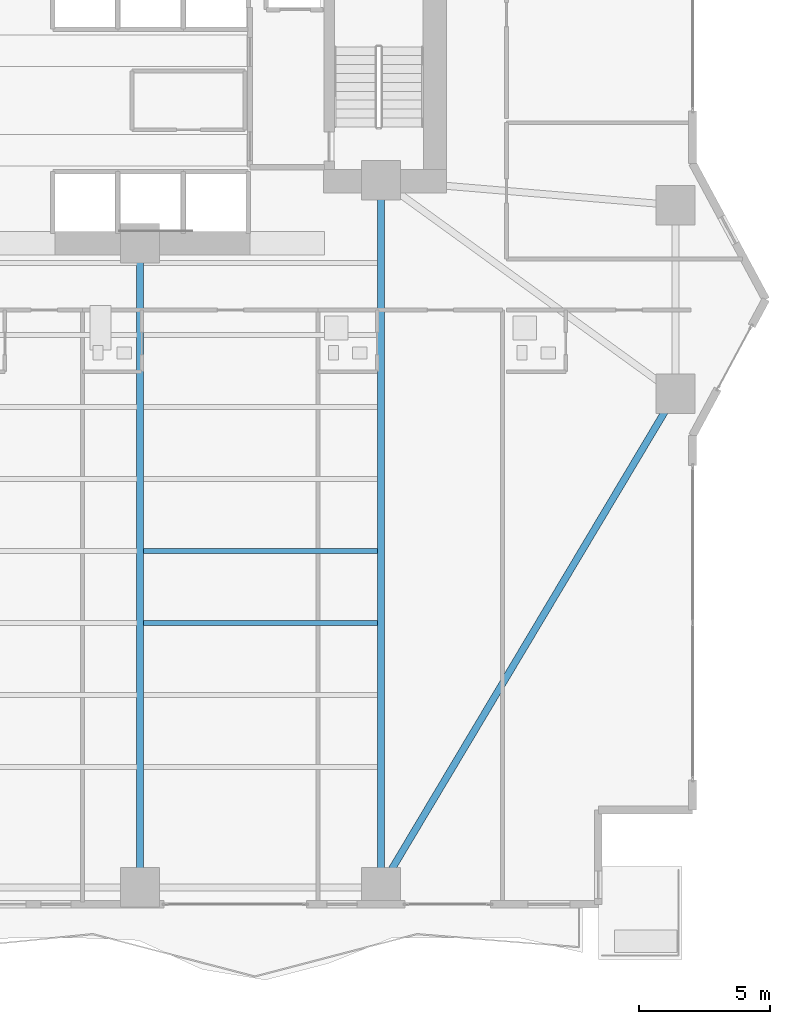
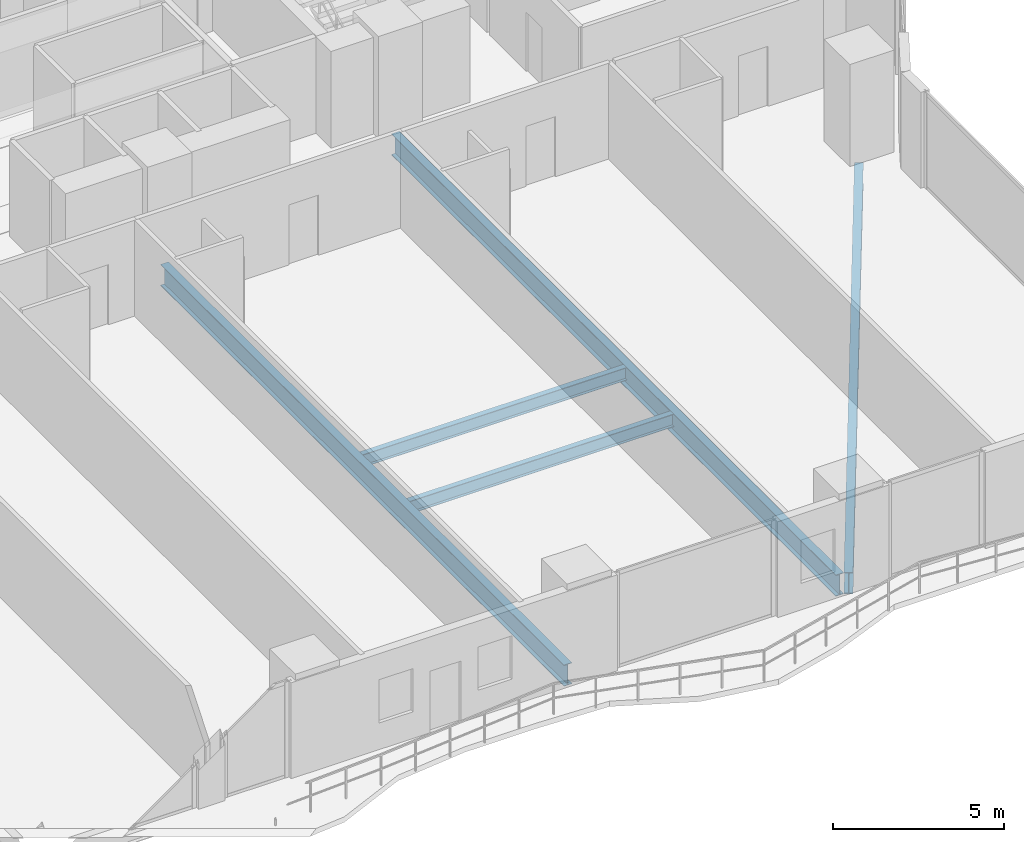
# One storey, part 9 of 29: 5 beams.
"""IFC4 building model written with IfcOpenShell, lengths in metres."""

from ifc_helpers import new_model, si_unit, direction, frame, origin, origin_2d, place, context, subcontext, project, spatial, i_section, extrude, material, material_profile, profile_set, type_object, element, save


model = new_model("IFC4")

# Units and contexts
model_context = context("Model", 3, precision=1e-05, world=origin(), true_north=direction((0.0, 1.0)))
body_context = subcontext(model_context, "Body", "Model", "MODEL_VIEW")
ifc_project = project(units=[si_unit("LENGTHUNIT", "METRE"), si_unit("AREAUNIT", "SQUARE_METRE"), si_unit("VOLUMEUNIT", "CUBIC_METRE"), si_unit("PLANEANGLEUNIT", "RADIAN"), si_unit("MASSUNIT", "GRAM", prefix="KILO")], contexts=[model_context])

# Site, building, storey
site_placement = place(None, origin())
site = spatial("IfcSite", under=ifc_project, at=site_placement, CompositionType="ELEMENT")
building_placement = place(site_placement, origin())
building = spatial("IfcBuilding", under=site, at=building_placement, Name="Zuhayl Quay Hotel", CompositionType="ELEMENT")
storey_placement = place(building_placement, frame((0.0, 0.0, 42.199951171875)))
storey = spatial("IfcBuildingStorey", under=building, at=storey_placement, Name="L09", CompositionType="ELEMENT", Elevation=42.199951171875)

# Beams
ifc_material = material(Name="Steel ASTM A992 Grade 50", Category="steel")
ifc_material_profile_1 = material_profile(ifc_material, i_section(OverallWidth=0.26708984375, OverallDepth=0.761962890625, WebThickness=0.014404296875, FlangeThickness=0.021484375, at=origin_2d()), Name="W30X116")
ifc_profile_set_1 = profile_set([ifc_material_profile_1], Name="Steel ASTM A992 Grade 50")
beam_type_1 = type_object("IfcBeamType", Name="BM_B1_W30X116", PredefinedType="BEAM", material=ifc_profile_set_1)
beam_1_placement = place(storey_placement, frame((14.05615234375, -22.020751953125, -0.600830078125), z_axis=(0.512482593247, 0.85869761361, 0.0), x_axis=(-0.85869761361, 0.512482593247, 0.0)))
element("IfcBeam", 1, at=beam_1_placement, inside=storey, type_object=beam_type_1, Name="L09 Floor Beam RG_L09_04", PredefinedType="BEAM", context=body_context, shape_type="SweptSolid", body=[
    extrude(i_section(OverallWidth=0.26708984375, OverallDepth=0.761962890625, WebThickness=0.014404296875, FlangeThickness=0.021484375, at=origin_2d()), origin(), (0.0, 0.0, 1.0), 20.9521484375),
])
beam_2_placement = place(storey_placement, frame((4.60009765625, -21.949951171875, -0.600830078125), z_axis=(0.0, 1.0, 0.0), x_axis=(-1.0, 0.0, 0.0)))
element("IfcBeam", 2, at=beam_2_placement, inside=storey, type_object=beam_type_1, Name="L09 Floor Beam FG_S_L09_3", PredefinedType="BEAM", context=body_context, shape_type="SweptSolid", body=[
    extrude(i_section(OverallWidth=0.26708984375, OverallDepth=0.761962890625, WebThickness=0.014404296875, FlangeThickness=0.021484375, at=origin_2d()), origin(), (0.0, 0.0, 1.0), 23.64990234375),
])
beam_3_placement = place(storey_placement, frame((13.800048828125, -21.949951171875, -0.600830078125), z_axis=(0.0, 1.0, 0.0), x_axis=(-1.0, 0.0, 0.0)))
element("IfcBeam", 3, at=beam_3_placement, inside=storey, type_object=beam_type_1, Name="L09 Floor Beam FG_S_L09_4", PredefinedType="BEAM", context=body_context, shape_type="SweptSolid", body=[
    extrude(i_section(OverallWidth=0.26708984375, OverallDepth=0.761962890625, WebThickness=0.014404296875, FlangeThickness=0.021484375, at=origin_2d()), origin(), (0.0, 0.0, 1.0), 26.050048828125),
])
ifc_material_profile_2 = material_profile(ifc_material, i_section(OverallWidth=0.18994140625, OverallDepth=0.45703125, WebThickness=0.009033203125, FlangeThickness=0.014404296875, at=origin_2d()), Name="W18X50")
ifc_profile_set_2 = profile_set([ifc_material_profile_2], Name="Steel ASTM A992 Grade 50")
beam_type_2 = type_object("IfcBeamType", Name="BM_J2_W18X50", PredefinedType="JOIST", material=ifc_profile_set_2)
for number, where, z_axis, x_axis, name in (
    (4, (4.7255859375, -12.35009765625, -0.448486328125), (1.0, 0.0, 0.0), (0.0, 1.0, 0.0), "L09 Floor Beam FJ_L09_5_3"),
    (5, (4.7255859375, -9.60009765625, -0.448486328125), (1.0, 0.0, 0.0), (0.0, 1.0, 0.0), "L09 Floor Beam FJ_L09_6_3"),
):
    element("IfcBeam", number, at=place(storey_placement, frame(where, z_axis=z_axis, x_axis=x_axis)), inside=storey, type_object=beam_type_2, Name=name, PredefinedType="JOIST", context=body_context, shape_type="SweptSolid", body=[
        extrude(i_section(OverallWidth=0.18994140625, OverallDepth=0.45703125, WebThickness=0.009033203125, FlangeThickness=0.014404296875, at=origin_2d()), origin(), (0.0, 0.0, 1.0), 8.948974609375),
    ])

save(model, "model.ifc")
